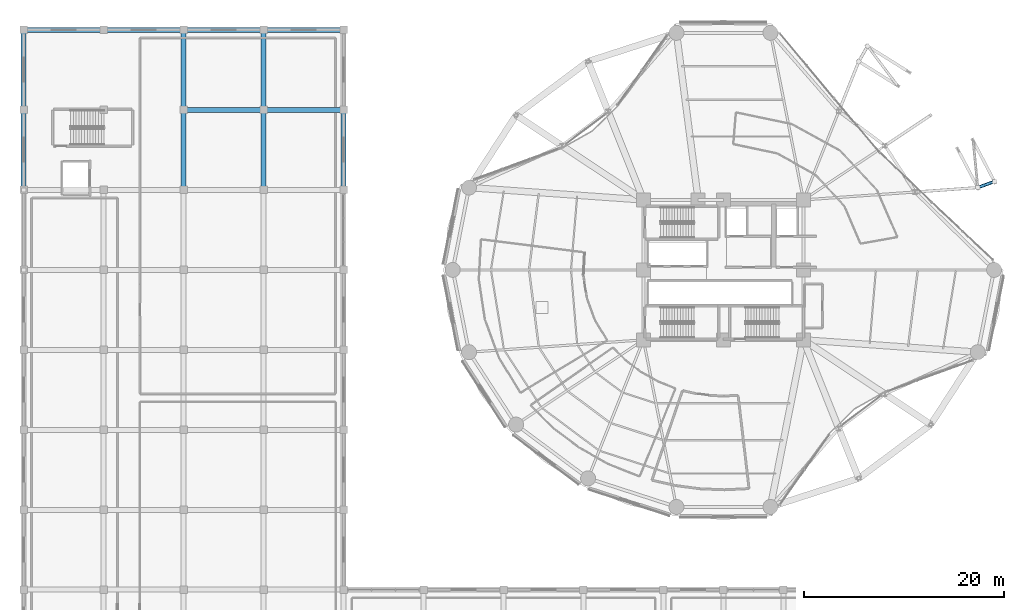
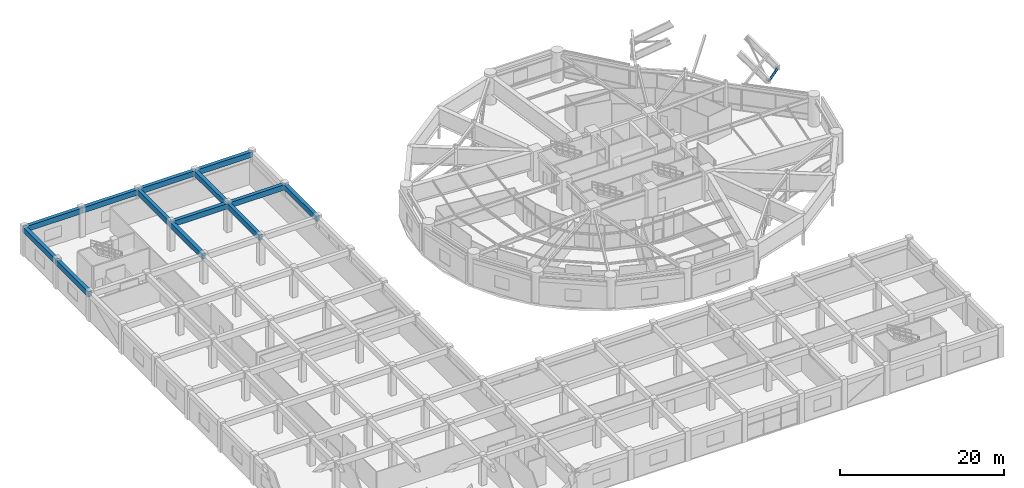
# One storey, part 28 of 53: 13 beams, 1 member.
"""IFC4 building model written with IfcOpenShell, lengths in metres."""

from ifc_helpers import new_model, si_unit, direction, frame, origin, origin_2d, place, context, subcontext, project, spatial, rectangle, hollow_circle, extrude, material, material_profile, profile_set, type_object, element, save


model = new_model("IFC4")

# Units and contexts
model_context = context("Model", 3, precision=1e-05, world=origin(), true_north=direction((0.0, 1.0)))
body_context = subcontext(model_context, "Body", "Model", "MODEL_VIEW")
ifc_project = project(units=[si_unit("LENGTHUNIT", "METRE"), si_unit("AREAUNIT", "SQUARE_METRE"), si_unit("VOLUMEUNIT", "CUBIC_METRE"), si_unit("PLANEANGLEUNIT", "RADIAN"), si_unit("MASSUNIT", "GRAM", prefix="KILO")], contexts=[model_context])

# Site, building, storey
site_placement = place(None, origin())
site = spatial("IfcSite", under=ifc_project, at=site_placement, CompositionType="ELEMENT")
building_placement = place(site_placement, origin())
building = spatial("IfcBuilding", under=site, at=building_placement, Name="Kelanora Arch Commons", CompositionType="ELEMENT")
storey_placement = place(building_placement, frame((0.0, 0.0, 9.0)))
storey = spatial("IfcBuildingStorey", under=building, at=storey_placement, Name="L02", CompositionType="ELEMENT", Elevation=9.0)

# Beams
ifc_material_1 = material(Name="Concrete C40/50", Category="concrete")
ifc_material_profile_1 = material_profile(ifc_material_1, rectangle(XDim=0.5, YDim=0.800048828125, at=origin_2d()), Name="RCB500x800")
ifc_profile_set_1 = profile_set([ifc_material_profile_1], Name="Concrete C40/50")
beam_type = type_object("IfcBeamType", Name="BM-MKT-RC1", PredefinedType="BEAM", material=ifc_profile_set_1)
for number, where, z_axis, x_axis, name in (
    (1, (4.0, 66.0, 3.840087890625), (0.0, 1.0, 0.0), (-1.0, 0.0, 0.0), "Market/Basement Frame Beam 018 L02"),
    (2, (4.0, 74.0, 3.840087890625), (0.0, 1.0, 0.0), (-1.0, 0.0, 0.0), "Market/Basement Frame Beam 019 L02"),
    (3, (4.0, 82.0, 3.840087890625), (1.0, 0.0, 0.0), (0.0, 1.0, 0.0), "Market/Basement Frame Beam 020 L02"),
    (4, (12.0, 82.0, 3.840087890625), (1.0, 0.0, 0.0), (0.0, 1.0, 0.0), "Market/Basement Frame Beam 037 L02"),
    (5, (20.0, 66.0, 3.840087890625), (0.0, 1.0, 0.0), (-1.0, 0.0, 0.0), "Market/Basement Frame Beam 055 L02"),
    (6, (20.0, 74.0, 3.840087890625), (1.0, 0.0, 0.0), (0.0, 1.0, 0.0), "Market/Basement Frame Beam 056 L02"),
    (7, (20.0, 74.0, 3.840087890625), (0.0, 1.0, 0.0), (-1.0, 0.0, 0.0), "Market/Basement Frame Beam 057 L02"),
    (8, (20.0, 82.0, 3.840087890625), (1.0, 0.0, 0.0), (0.0, 1.0, 0.0), "Market/Basement Frame Beam 058 L02"),
    (9, (28.0, 66.0, 3.840087890625), (0.0, 1.0, 0.0), (-1.0, 0.0, 0.0), "Market/Basement Frame Beam 076 L02"),
    (10, (28.0, 74.0, 3.840087890625), (1.0, 0.0, 0.0), (0.0, 1.0, 0.0), "Market/Basement Frame Beam 077 L02"),
    (11, (28.0, 74.0, 3.840087890625), (0.0, 1.0, 0.0), (-1.0, 0.0, 0.0), "Market/Basement Frame Beam 078 L02"),
    (12, (28.0, 82.0, 3.840087890625), (1.0, 0.0, 0.0), (0.0, 1.0, 0.0), "Market/Basement Frame Beam 079 L02"),
    (13, (36.0, 66.0, 3.840087890625), (0.0, 1.0, 0.0), (-1.0, 0.0, 0.0), "Market/Basement Frame Beam 092 L02"),
):
    element("IfcBeam", number, at=place(storey_placement, frame(where, z_axis=z_axis, x_axis=x_axis)), inside=storey, type_object=beam_type, Name=name, PredefinedType="BEAM", context=body_context, shape_type="SweptSolid", body=[
        extrude(rectangle(XDim=0.5, YDim=0.800048828125, at=origin_2d()), origin(), (0.0, 0.0, 1.0), 8.0),
    ])

# Member
ifc_material_2 = material(Name="Steel S355", Category="steel")
ifc_material_profile_2 = material_profile(ifc_material_2, hollow_circle(Radius=0.161865234375, WallThickness=0.01611328125, at=origin_2d()), Name="CHS323.9x16")
ifc_profile_set_2 = profile_set([ifc_material_profile_2], Name="Steel S355")
member_type = type_object("IfcMemberType", Name="MEM-MKT-CHORD", PredefinedType="CHORD", material=ifc_profile_set_2)
member_placement = place(storey_placement, frame((99.447021484375, 66.23583984375, 1.85009765625), z_axis=(0.808186736851, 0.294231225395, 0.510158979516), x_axis=(-0.342097460453, 0.939664476051, 0.0)))
element("IfcMember", 14, at=member_placement, inside=storey, type_object=member_type, Name="Giant Arch Transverse Strut 02", PredefinedType="CHORD", context=body_context, shape_type="SweptSolid", body=[
    extrude(hollow_circle(Radius=0.161865234375, WallThickness=0.01611328125, at=origin_2d()), origin(), (0.0, 0.0, 1.0), 2.057861328125),
])

save(model, "model.ifc")
